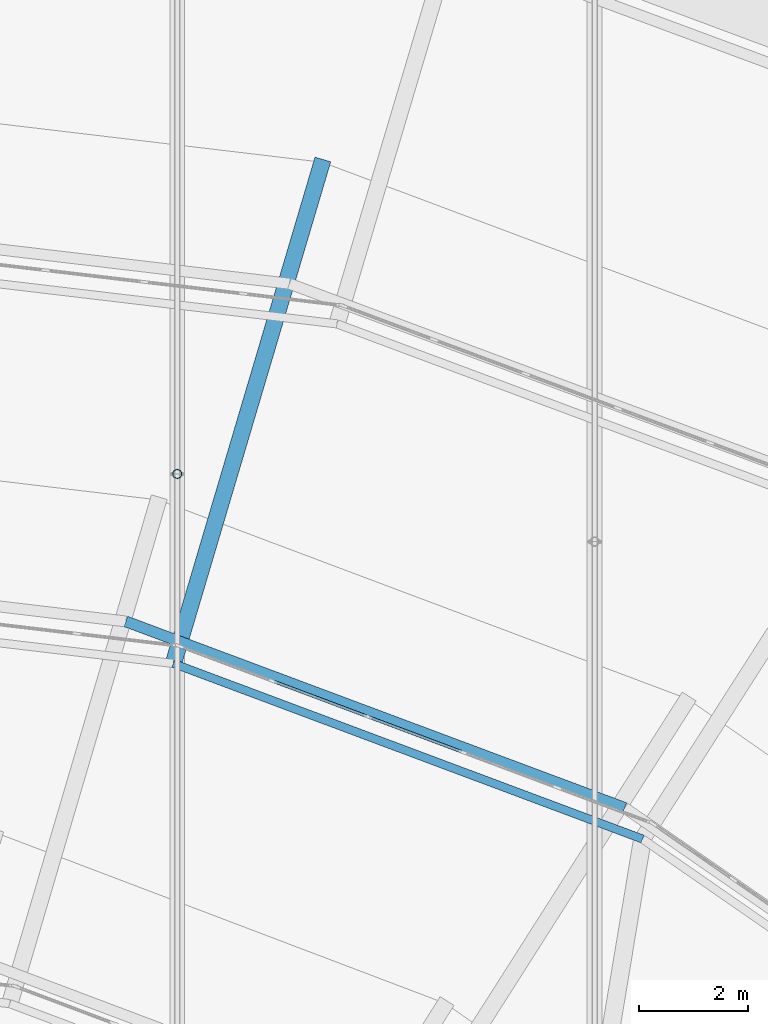
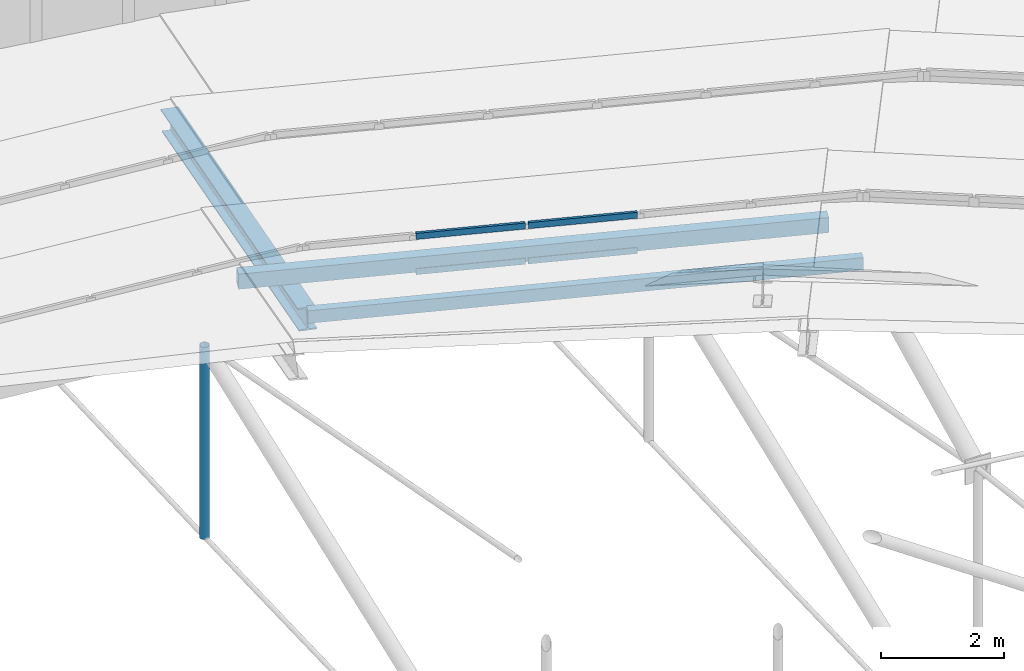
# One storey, part 113 of 173: 8 members, 1 element without a shape of its own.
"""IFC4 building model written with IfcOpenShell, lengths in metres."""

import ifcopenshell
import ifcopenshell.guid

model = None  # the IFC model being written
_history = None  # IfcOwnerHistory: only IFC2X3 demands one
_inside = {}  # id of a spatial element -> (the spatial element, [elements in it])
_under = {}  # id of a project, library or spatial element -> (it, [spatial elements below it])
_declared = {}  # id of a project -> (the project, [libraries it declares])
_typed = {}  # id of a type object -> (the type object, [elements of that type])
_made_of = {}  # id of a material, layer set ... -> (it, [elements and type objects made of it])


def new_model(schema):
    """Start an empty IFC model of exactly this schema.

    Asked for "IFC4X3", IfcOpenShell would pick the latest addendum, in which some entities
    have other attributes; the version numbers below select the first issue.
    IFC2X3 requires an IfcOwnerHistory on every rooted entity: one is made here for all.
    """
    global model, _history
    if schema == "IFC4X3":
        model = ifcopenshell.file(schema_version=(4, 3, 0, 0))
    else:
        model = ifcopenshell.file(schema=schema)
    _inside.clear()
    _under.clear()
    _declared.clear()
    _typed.clear()
    _made_of.clear()
    _history = None
    if model.schema == "IFC2X3":
        org = make("IfcOrganization", Name="unknown")
        user = make(
            "IfcPersonAndOrganization",
            ThePerson=make("IfcPerson", FamilyName="unknown"),
            TheOrganization=org,
        )
        app = make(
            "IfcApplication",
            ApplicationDeveloper=org,
            Version="unknown",
            ApplicationFullName="unknown",
            ApplicationIdentifier="unknown",
        )
        _history = make(
            "IfcOwnerHistory",
            OwningUser=user,
            OwningApplication=app,
            ChangeAction="ADDED",
            CreationDate=0,
        )
    return model


def make(cls, **values):
    """One entity of the class cls with the attributes given. An attribute that is None is left unset."""
    return model.create_entity(
        cls, **{name: value for name, value in values.items() if value is not None}
    )


def rooted(cls, **values):
    """An entity with a GlobalId (a new one), such as an element, a storey or a relation."""
    return make(cls, GlobalId=ifcopenshell.guid.new(), OwnerHistory=_history, **values)


def si_unit(unit_type, name, prefix=None):
    """IfcSIUnit, for example si_unit("LENGTHUNIT", "METRE", prefix="MILLI")."""
    return make("IfcSIUnit", UnitType=unit_type, Prefix=prefix, Name=name)


def assignment(units):
    """IfcUnitAssignment: the units of a project."""
    return None if units is None else make("IfcUnitAssignment", Units=units)


def point(xyz):
    """IfcCartesianPoint."""
    return None if xyz is None else make("IfcCartesianPoint", Coordinates=xyz)


def direction(xyz):
    """IfcDirection."""
    return None if xyz is None else make("IfcDirection", DirectionRatios=xyz)


def frame(location, z_axis=None, x_axis=None):
    """IfcAxis2Placement3D, a coordinate frame: its origin and axes. An axis left out is left unset."""
    return make(
        "IfcAxis2Placement3D",
        Location=point(location),
        Axis=direction(z_axis),
        RefDirection=direction(x_axis),
    )


def frame_2d(location, x_axis=None):
    """IfcAxis2Placement2D, a coordinate frame in the plane: its origin and x axis."""
    return make(
        "IfcAxis2Placement2D", Location=point(location), RefDirection=direction(x_axis)
    )


def origin():
    """The frame at (0, 0, 0) with its axes left unset."""
    return frame((0.0, 0.0, 0.0))


def origin_2d():
    """The frame at (0, 0) in the plane with its x axis left unset."""
    return frame_2d((0.0, 0.0))


def place(relative_to, where):
    """IfcLocalPlacement: puts the frame where relative to a parent placement (None: the world)."""
    return make(
        "IfcLocalPlacement", PlacementRelTo=relative_to, RelativePlacement=where
    )


def context(
    kind, dimensions, precision=None, world=None, true_north=None, identifier=None
):
    """IfcGeometricRepresentationContext, for example the 3D "Model" context."""
    return make(
        "IfcGeometricRepresentationContext",
        ContextIdentifier=identifier,
        ContextType=kind,
        CoordinateSpaceDimension=dimensions,
        Precision=precision,
        WorldCoordinateSystem=world,
        TrueNorth=true_north,
    )


def subcontext(parent, identifier, kind, view, scale=None):
    """IfcGeometricRepresentationSubContext, for example "Body" below "Model"."""
    return make(
        "IfcGeometricRepresentationSubContext",
        ContextIdentifier=identifier,
        ContextType=kind,
        ParentContext=parent,
        TargetScale=scale,
        TargetView=view,
    )


def project(units=None, contexts=None):
    """IfcProject with its units and contexts."""
    return rooted(
        "IfcProject",
        Name="project",
        RepresentationContexts=contexts,
        UnitsInContext=assignment(units),
    )


def spatial(cls, under=None, at=None, **own):
    """A site, building, storey or space (cls), placed at a placement, below another one or the project."""
    s = rooted(cls, ObjectPlacement=at, **own)
    if under is not None:
        _under.setdefault(under.id(), (under, []))[1].append(s)
    return s


def profile(cls, at=None, kind="AREA", **sizes):
    """A parametric profile (cls). Its sizes go by their IFC names, for example OverallWidth=200.0."""
    return make(cls, ProfileType=kind, Position=at, **sizes)


def rectangle(**sizes):
    """IfcRectangleProfileDef."""
    return profile("IfcRectangleProfileDef", **sizes)


def hollow_rectangle(**sizes):
    """IfcRectangleHollowProfileDef."""
    return profile("IfcRectangleHollowProfileDef", **sizes)


def hollow_circle(**sizes):
    """IfcCircleHollowProfileDef."""
    return profile("IfcCircleHollowProfileDef", **sizes)


def i_section(**sizes):
    """IfcIShapeProfileDef."""
    return profile("IfcIShapeProfileDef", **sizes)


def extrude(swept, where, along, depth):
    """IfcExtrudedAreaSolid: the profile swept, set in the frame where, extruded along a direction by depth."""
    return make(
        "IfcExtrudedAreaSolid",
        SweptArea=swept,
        Position=where,
        ExtrudedDirection=direction(along),
        Depth=depth,
    )


def shape(context_of_items, identifier, shape_type, items):
    """IfcShapeRepresentation: the items that make up one representation, for example the "Body"."""
    return make(
        "IfcShapeRepresentation",
        ContextOfItems=context_of_items,
        RepresentationIdentifier=identifier,
        RepresentationType=shape_type,
        Items=items,
    )


def material(Name=None, Category=None):
    """IfcMaterial."""
    return make("IfcMaterial", Name=Name, Category=Category)


def material_profile(
    of_material, cross_section, Name=None, Category=None, Priority=None
):
    """IfcMaterialProfile: a cross section and its material."""
    return make(
        "IfcMaterialProfile",
        Name=Name,
        Material=of_material,
        Profile=cross_section,
        Priority=Priority,
        Category=Category,
    )


def profile_set(profiles, Name=None, composite=None):
    """IfcMaterialProfileSet."""
    return make(
        "IfcMaterialProfileSet",
        Name=Name,
        MaterialProfiles=profiles,
        CompositeProfile=composite,
    )


def made_of(thing, what):
    """Note that an element or type object is made of a material, layer set ...; save() writes the relation."""
    if what is not None:
        _made_of.setdefault(what.id(), (what, []))[1].append(thing)
    return thing


def type_object(cls, material=None, **own):
    """A type object (cls), such as IfcWallType, which elements share."""
    return made_of(rooted(cls, **own), material)


def element(
    cls,
    number,
    at=None,
    inside=None,
    cuts=None,
    type_object=None,
    material=None,
    context=None,
    identifier="Body",
    shape_type=None,
    held_by="IfcProductDefinitionShape",
    body=None,
    shapes=None,
    **own,
):
    """One element of the class cls, such as IfcWall. Its Tag is "e" and its number.

    at: its placement. inside: the storey or other place that contains it. cuts: it is an
    opening in that element (IfcRelVoidsElement). A single representation is given by context,
    identifier, shape_type and body (its items); several are given by shapes. held_by: the class
    of the entity that holds the representations. save() writes the other relations.
    """
    e = rooted(cls, Tag="e%d" % number, ObjectPlacement=at, **own)
    if body is not None:
        shapes = [shape(context, identifier, shape_type, body)]
    if shapes is not None:
        e.Representation = make(held_by, Representations=shapes)
    if inside is not None:
        _inside.setdefault(inside.id(), (inside, []))[1].append(e)
    if cuts is not None:
        rooted(
            "IfcRelVoidsElement", RelatingBuildingElement=cuts, RelatedOpeningElement=e
        )
    if type_object is not None:
        _typed.setdefault(type_object.id(), (type_object, []))[1].append(e)
    return made_of(e, material)


def aggregate(whole, parts):
    """IfcRelAggregates: a whole, such as a stair, and the parts it consists of."""
    return rooted("IfcRelAggregates", RelatingObject=whole, RelatedObjects=parts)


def save(model, path):
    """Write the relations noted so far, then the file.

    IfcRelAggregates (storeys below a building ...), IfcRelContainedInSpatialStructure (elements
    in a storey), IfcRelDefinesByType, IfcRelAssociatesMaterial and IfcRelDeclares: one each for
    every whole, place, type object, material and project.
    """
    for whole, parts in _under.values():
        aggregate(whole, parts)
    for where, things in _inside.values():
        rooted(
            "IfcRelContainedInSpatialStructure",
            RelatedElements=things,
            RelatingStructure=where,
        )
    for kind, things in _typed.values():
        rooted("IfcRelDefinesByType", RelatedObjects=things, RelatingType=kind)
    for what, things in _made_of.values():
        rooted("IfcRelAssociatesMaterial", RelatedObjects=things, RelatingMaterial=what)
    for by, libraries in _declared.values():
        rooted("IfcRelDeclares", RelatingContext=by, RelatedDefinitions=libraries)
    model.write(path)


model = new_model("IFC4")

# Units and contexts
model_context = context("Model", 3, precision=1e-05, world=origin(), true_north=direction((0.0, 1.0)))
body_context = subcontext(model_context, "Body", "Model", "MODEL_VIEW")
ifc_project = project(units=[si_unit("LENGTHUNIT", "METRE"), si_unit("AREAUNIT", "SQUARE_METRE"), si_unit("VOLUMEUNIT", "CUBIC_METRE"), si_unit("PLANEANGLEUNIT", "RADIAN"), si_unit("MASSUNIT", "GRAM", prefix="KILO")], contexts=[model_context])

# Site, building, storey
site_placement = place(None, origin())
site = spatial("IfcSite", under=ifc_project, at=site_placement, CompositionType="ELEMENT")
building_placement = place(site_placement, origin())
building = spatial("IfcBuilding", under=site, at=building_placement, Name="Glasvene Arena", CompositionType="ELEMENT")
storey_placement = place(building_placement, frame((0.0, 0.0, 28.800048828125)))
storey = spatial("IfcBuildingStorey", under=building, at=storey_placement, Name="RF", CompositionType="ELEMENT", Elevation=28.800048828125)

# Curtain wall, members
ifc_material_1 = material(Name="Low-emissivity laminated double glazing", Category="glass")
curtain_wall_type = type_object("IfcCurtainWallType", Name="CW-PET2-925x75", PredefinedType="USERDEFINED", material=ifc_material_1)
curtain_wall_placement = place(storey_placement, frame((108.5, 99.952392578125, 0.0)))
curtain_wall = element("IfcCurtainWall", 1, at=curtain_wall_placement, inside=storey, type_object=curtain_wall_type, Name="Petal ring 2-3 clerestory curtain wall 05", ObjectType="CURTAIN WALL", PredefinedType="USERDEFINED")
ifc_material_2 = material(Name="Anodised architectural aluminium", Category="aluminium")
ifc_material_profile_1 = material_profile(ifc_material_2, rectangle(XDim=0.050048828125, YDim=0.1201171875, at=origin_2d()), Name="ALU TRANSOM 50x120")
ifc_profile_set_1 = profile_set([ifc_material_profile_1], Name="Anodised architectural aluminium")
member_type_1 = type_object("IfcMemberType", Name="CW-TRN-120", PredefinedType="USERDEFINED", material=ifc_profile_set_1)
member_1_placement = place(storey_placement, frame((105.01318359375, 101.258056640625, 5.204833984375), z_axis=(-0.936501948844, 0.350662372962, 0.0), x_axis=(-0.350662372962, -0.936501948844, 0.0)))
member_1 = element("IfcMember", 2, at=member_1_placement, type_object=member_type_1, Name="CW-091 transom 3.1", ObjectType="TRANSOM", PredefinedType="USERDEFINED", context=body_context, shape_type="SweptSolid", body=[
    extrude(rectangle(XDim=0.050048828125, YDim=0.1201171875, at=origin_2d()), origin(), (0.0, 0.0, 1.0), 1.799072265625),
])
member_2_placement = place(storey_placement, frame((105.01318359375, 101.258056640625, 5.905029296875), z_axis=(-0.936501948844, 0.350662372962, 0.0), x_axis=(-0.350662372962, -0.936501948844, 0.0)))
member_2 = element("IfcMember", 3, at=member_2_placement, type_object=member_type_1, Name="CW-091 transom 3.2", ObjectType="TRANSOM", PredefinedType="USERDEFINED", context=body_context, shape_type="SweptSolid", body=[
    extrude(rectangle(XDim=0.050048828125, YDim=0.1201171875, at=origin_2d()), origin(), (0.0, 0.0, 1.0), 1.799072265625),
])
member_3_placement = place(storey_placement, frame((103.281494140625, 101.90625, 5.204833984375), z_axis=(-0.936501948844, 0.350662372962, 0.0), x_axis=(-0.350662372962, -0.936501948844, 0.0)))
member_3 = element("IfcMember", 4, at=member_3_placement, type_object=member_type_1, Name="CW-091 transom 4.1", ObjectType="TRANSOM", PredefinedType="USERDEFINED", context=body_context, shape_type="SweptSolid", body=[
    extrude(rectangle(XDim=0.050048828125, YDim=0.1201171875, at=origin_2d()), origin(), (0.0, 0.0, 1.0), 1.799072265625),
])
member_4_placement = place(storey_placement, frame((103.281494140625, 101.90625, 5.905029296875), z_axis=(-0.936501948844, 0.350662372962, 0.0), x_axis=(-0.350662372962, -0.936501948844, 0.0)))
member_4 = element("IfcMember", 5, at=member_4_placement, type_object=member_type_1, Name="CW-091 transom 4.2", ObjectType="TRANSOM", PredefinedType="USERDEFINED", context=body_context, shape_type="SweptSolid", body=[
    extrude(rectangle(XDim=0.050048828125, YDim=0.1201171875, at=origin_2d()), origin(), (0.0, 0.0, 1.0), 1.799072265625),
])
aggregate(curtain_wall, [member_1, member_2, member_3, member_4])

# Members
ifc_material_3 = material(Name="Steel S355J2", Category="steel")
ifc_material_profile_2 = material_profile(ifc_material_3, i_section(OverallWidth=0.300048828125, OverallDepth=0.39990234375, WebThickness=0.013427734375, FlangeThickness=0.02392578125, FilletRadius=0.027099609375, at=origin_2d()), Name="HEB 400")
ifc_profile_set_2 = profile_set([ifc_material_profile_2], Name="Steel S355J2")
member_type_2 = type_object("IfcMemberType", Name="MB-CHORD-HEB400", PredefinedType="CHORD", material=ifc_profile_set_2)
member_5_placement = place(storey_placement, frame((102.468505859375, 112.032470703125, 2.14990234375), z_axis=(-0.274747564665, -0.926307304531, 0.257814959386), x_axis=(0.958717406977, -0.28436056963, 0.0)))
element("IfcMember", 6, at=member_5_placement, inside=storey, type_object=member_type_2, Name="Petal ring 2 radial rib 06", PredefinedType="CHORD", context=body_context, shape_type="SweptSolid", body=[
    extrude(i_section(OverallWidth=0.300048828125, OverallDepth=0.39990234375, WebThickness=0.013427734375, FlangeThickness=0.02392578125, FilletRadius=0.027099609375, at=origin_2d()), origin(), (0.0, 0.0, 1.0), 9.89111328125),
])
ifc_material_profile_3 = material_profile(ifc_material_3, hollow_rectangle(XDim=0.14990234375, YDim=0.25, WallThickness=0.010009765625, at=origin_2d()), Name="RHS 250x150x10.0")
ifc_profile_set_3 = profile_set([ifc_material_profile_3], Name="Steel S355J2")
member_type_3 = type_object("IfcMemberType", Name="MB-PURLIN-RHS250", PredefinedType="PURLIN", material=ifc_profile_set_3)
member_6_placement = place(storey_placement, frame((108.324951171875, 99.662109375, 4.781982421875), z_axis=(-0.936579916907, 0.350454075802, 0.0), x_axis=(-0.350454075802, -0.936579916907, 0.0)))
element("IfcMember", 7, at=member_6_placement, inside=storey, type_object=member_type_3, Name="Petal ring 2 ridge purlin 05", PredefinedType="PURLIN", context=body_context, shape_type="SweptSolid", body=[
    extrude(hollow_rectangle(XDim=0.14990234375, YDim=0.25, WallThickness=0.010009765625, at=origin_2d()), origin(), (0.0, 0.0, 1.0), 9.154541015625),
])
ifc_material_profile_4 = material_profile(ifc_material_3, hollow_rectangle(XDim=0.199951171875, YDim=0.300048828125, WallThickness=0.012451171875, at=origin_2d()), Name="RHS 300x200x12.5")
ifc_profile_set_4 = profile_set([ifc_material_profile_4], Name="Steel S355J2")
member_type_4 = type_object("IfcMemberType", Name="MB-PURLIN-RHS300", PredefinedType="PURLIN", material=ifc_profile_set_4)
member_7_placement = place(storey_placement, frame((108.0, 100.2314453125, 5.33935546875), z_axis=(-0.936734726533, 0.350040072145, 0.0), x_axis=(-0.350040072145, -0.936734726533, 0.0)))
element("IfcMember", 8, at=member_7_placement, inside=storey, type_object=member_type_4, Name="Petal ring 3 outer purlin 05", PredefinedType="PURLIN", context=body_context, shape_type="SweptSolid", body=[
    extrude(hollow_rectangle(XDim=0.199951171875, YDim=0.300048828125, WallThickness=0.012451171875, at=origin_2d()), origin(), (0.0, 0.0, 1.0), 9.732421875),
])
ifc_material_profile_5 = material_profile(ifc_material_3, hollow_circle(Radius=0.084228515625, WallThickness=0.008056640625, at=origin_2d()), Name="CHS 168.3x8.0")
ifc_profile_set_5 = profile_set([ifc_material_profile_5], Name="Steel S355J2")
member_type_5 = type_object("IfcMemberType", Name="MB-WEB-CHS168", PredefinedType="BRACE", material=ifc_profile_set_5)
member_8_placement = place(storey_placement, frame((99.82177734375, 106.33447265625, -1.753173828125), z_axis=(0.0, 0.0, 1.0), x_axis=(1.0, 0.0, 0.0)))
element("IfcMember", 9, at=member_8_placement, inside=storey, type_object=member_type_5, Name="Cable-truss vertical strut NS04-07", PredefinedType="BRACE", context=body_context, shape_type="SweptSolid", body=[
    extrude(hollow_circle(Radius=0.084228515625, WallThickness=0.008056640625, at=origin_2d()), origin(), (0.0, 0.0, 1.0), 3.814208984375),
])

save(model, "model.ifc")
